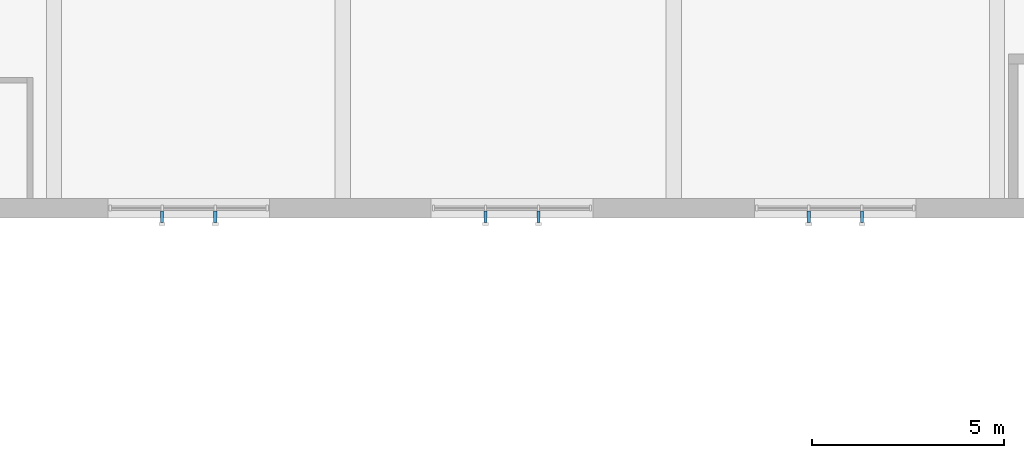
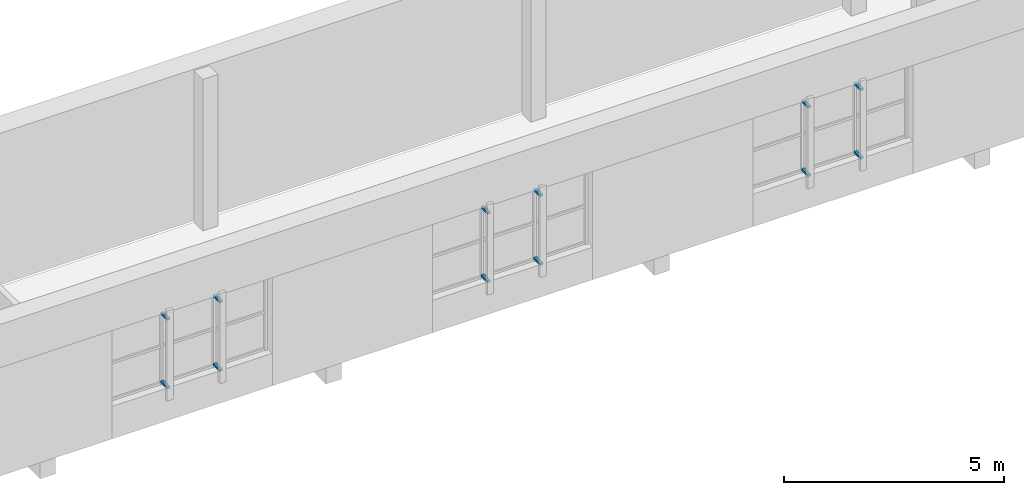
# One storey, part 52 of 60: 12 discrete accessories.
"""IFC4 building model written with IfcOpenShell, lengths in metres."""

from ifc_helpers import new_model, si_unit, direction, frame, origin, origin_2d, place, context, subcontext, project, spatial, rectangle, extrude, material, type_object, element, save


model = new_model("IFC4")

# Units and contexts
model_context = context("Model", 3, precision=1e-05, world=origin(), true_north=direction((0.0, 1.0)))
body_context = subcontext(model_context, "Body", "Model", "MODEL_VIEW")
ifc_project = project(units=[si_unit("LENGTHUNIT", "METRE"), si_unit("AREAUNIT", "SQUARE_METRE"), si_unit("VOLUMEUNIT", "CUBIC_METRE"), si_unit("PLANEANGLEUNIT", "RADIAN"), si_unit("MASSUNIT", "GRAM", prefix="KILO")], contexts=[model_context])

# Site, building, storey
site_placement = place(None, origin())
site = spatial("IfcSite", under=ifc_project, at=site_placement, CompositionType="ELEMENT")
building_placement = place(site_placement, origin())
building = spatial("IfcBuilding", under=site, at=building_placement, Name="Ljudholm Concert House", CompositionType="ELEMENT")
storey_placement = place(building_placement, frame((0.0, 0.0, 15.0)))
storey = spatial("IfcBuildingStorey", under=building, at=storey_placement, Name="L03", CompositionType="ELEMENT", Elevation=15.0)

# Discrete accessories
ifc_material = material(Name="Stainless steel bracket", Category="steel")
discrete_accessory_type = type_object("IfcDiscreteAccessoryType", Name="BRACKET 290", PredefinedType="BRACKET", material=ifc_material)
for number, where, z_axis, x_axis, name in (
    (1, (66.31005859375, 54.175048828125, 0.969970703125), (0.0, 0.0, 1.0), (0.0, -1.0, 0.0), "Fin bracket"),
    (2, (66.31005859375, 54.175048828125, 2.869873046875), (0.0, 0.0, 1.0), (0.0, -1.0, 0.0), "Fin bracket"),
    (3, (67.68994140625, 54.175048828125, 0.969970703125), (0.0, 0.0, 1.0), (0.0, -1.0, 0.0), "Fin bracket"),
    (4, (67.68994140625, 54.175048828125, 2.869873046875), (0.0, 0.0, 1.0), (0.0, -1.0, 0.0), "Fin bracket"),
    (5, (74.7099609375, 54.175048828125, 0.969970703125), (0.0, 0.0, 1.0), (0.0, -1.0, 0.0), "Fin bracket"),
    (6, (74.7099609375, 54.175048828125, 2.869873046875), (0.0, 0.0, 1.0), (0.0, -1.0, 0.0), "Fin bracket"),
    (7, (76.090087890625, 54.175048828125, 0.969970703125), (0.0, 0.0, 1.0), (0.0, -1.0, 0.0), "Fin bracket"),
    (8, (76.090087890625, 54.175048828125, 2.869873046875), (0.0, 0.0, 1.0), (0.0, -1.0, 0.0), "Fin bracket"),
    (9, (83.110107421875, 54.175048828125, 0.969970703125), (0.0, 0.0, 1.0), (0.0, -1.0, 0.0), "Fin bracket"),
    (10, (83.110107421875, 54.175048828125, 2.869873046875), (0.0, 0.0, 1.0), (0.0, -1.0, 0.0), "Fin bracket"),
    (11, (84.489990234375, 54.175048828125, 0.969970703125), (0.0, 0.0, 1.0), (0.0, -1.0, 0.0), "Fin bracket"),
    (12, (84.489990234375, 54.175048828125, 2.869873046875), (0.0, 0.0, 1.0), (0.0, -1.0, 0.0), "Fin bracket"),
):
    element("IfcDiscreteAccessory", number, at=place(storey_placement, frame(where, z_axis=z_axis, x_axis=x_axis)), inside=storey, type_object=discrete_accessory_type, Name=name, PredefinedType="BRACKET", context=body_context, shape_type="SweptSolid", body=[
        extrude(rectangle(XDim=0.2900390625, YDim=0.080078125, at=origin_2d()), origin(), (0.0, 0.0, 1.0), 0.06005859375),
    ])

save(model, "model.ifc")
